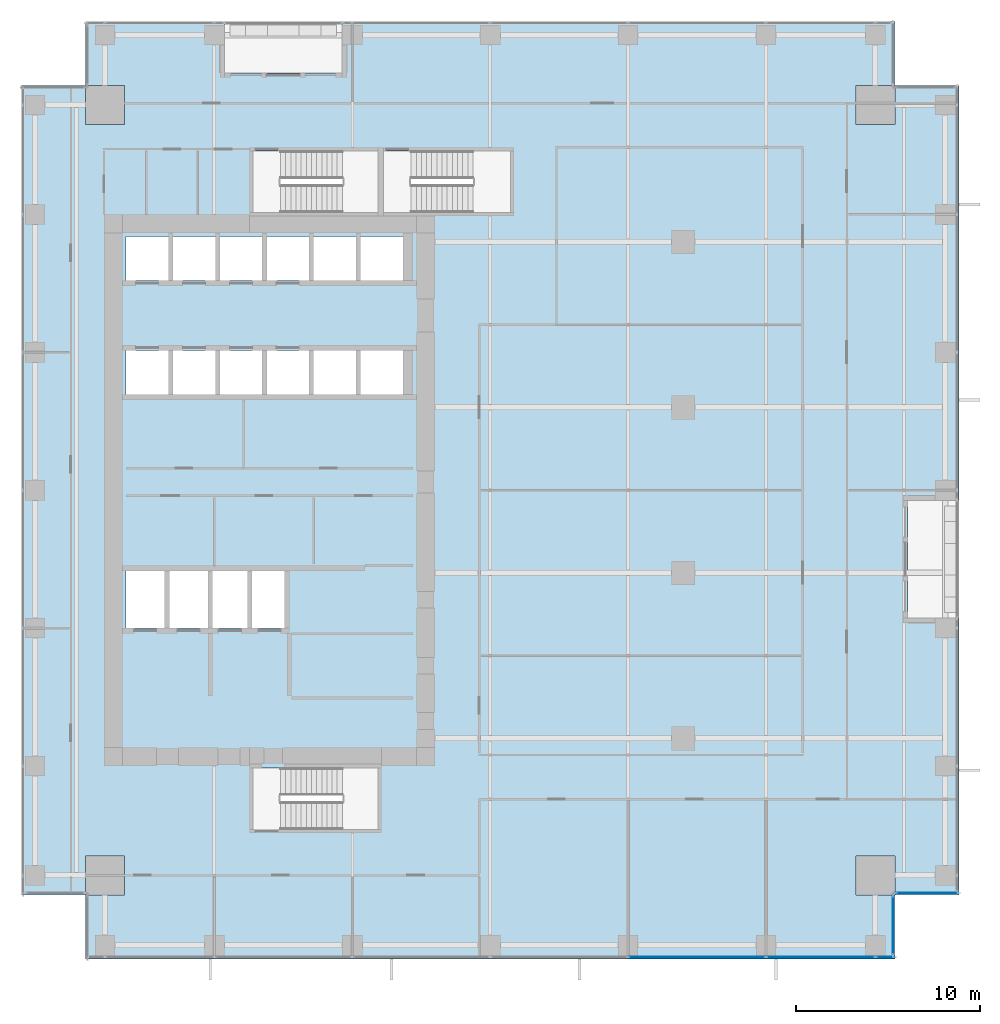
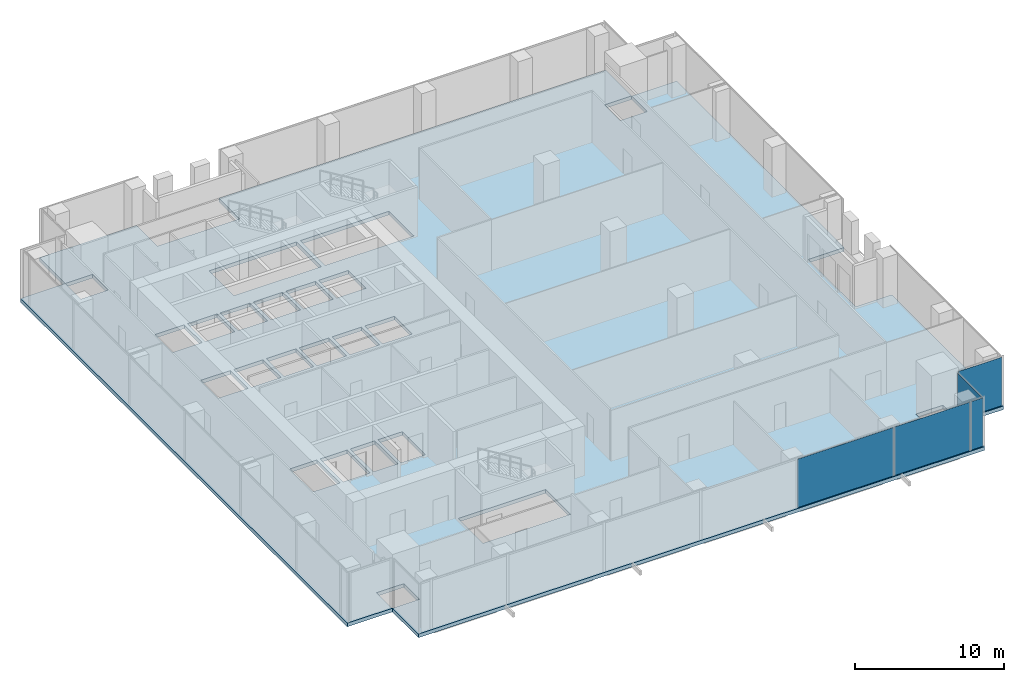
# One storey, part 24 of 34: 5 plates, 1 slab, 3 elements without a shape of their own.
"""IFC4 building model written with IfcOpenShell, lengths in metres."""

from ifc_helpers import new_model, si_unit, direction, frame, origin, origin_2d, place, context, subcontext, project, spatial, polyline, rectangle, outline, extrude, source, transform, mapped, material, layer, layer_set, type_object, element, aggregate, save


model = new_model("IFC4")

# Units and contexts
model_context = context("Model", 3, precision=1e-05, world=origin(), true_north=direction((0.0, 1.0)))
body_context = subcontext(model_context, "Body", "Model", "MODEL_VIEW")
ifc_project = project(units=[si_unit("LENGTHUNIT", "METRE"), si_unit("AREAUNIT", "SQUARE_METRE"), si_unit("VOLUMEUNIT", "CUBIC_METRE"), si_unit("PLANEANGLEUNIT", "RADIAN"), si_unit("MASSUNIT", "GRAM", prefix="KILO")], contexts=[model_context])

# Site, building, storey
site_placement = place(None, origin())
site = spatial("IfcSite", under=ifc_project, at=site_placement, CompositionType="ELEMENT")
building_placement = place(site_placement, origin())
building = spatial("IfcBuilding", under=site, at=building_placement, Name="Khomas Fold Tower", CompositionType="ELEMENT")
storey_placement = place(building_placement, frame((0.0, 0.0, 105.89990234375)))
storey = spatial("IfcBuildingStorey", under=building, at=storey_placement, Name="L22", CompositionType="ELEMENT", Elevation=105.89990234375)

# Slab
ifc_material_1 = material(Name="Concrete C40/50", Category="concrete")
ifc_layer_1 = layer(ifc_material_1, 0.300048828125)
ifc_layer_set_1 = layer_set([ifc_layer_1], Name="Concrete C40/50")
slab_type = type_object("IfcSlabType", Name="RC floor slab 300", PredefinedType="FLOOR", material=ifc_layer_set_1)
shared_shape_1 = source(origin(), body_context, "Body", "SweptSolid", [
    extrude(outline(polyline([(1.5, 5.0), (4.9951171875, 5.0), (4.9951171875, 7.10498046875), (7.10498046875, 7.10498046875), (7.10498046875, 4.9951171875), (5.0, 4.9951171875), (5.0, 1.5), (49.0, 1.5), (49.0, 4.9951171875), (46.89501953125, 4.9951171875), (46.89501953125, 7.10498046875), (49.0048828125, 7.10498046875), (49.0048828125, 5.0), (52.5, 5.0), (52.5, 20.050048828125), (49.699951171875, 20.050048828125), (49.699951171875, 26.449951171875), (52.5, 26.449951171875), (52.5, 49.0), (49.0048828125, 49.0), (49.0048828125, 46.89501953125), (46.89501953125, 46.89501953125), (46.89501953125, 49.0048828125), (49.0, 49.0048828125), (49.0, 52.5), (18.949951171875, 52.5), (18.949951171875, 49.699951171875), (12.550048828125, 49.699951171875), (12.550048828125, 52.5), (5.0, 52.5), (5.0, 49.0048828125), (7.10498046875, 49.0048828125), (7.10498046875, 46.89501953125), (4.9951171875, 46.89501953125), (4.9951171875, 49.0), (1.5, 49.0), (1.5, 5.0)]), holes=[polyline([(7.199951171875, 19.5), (7.199951171875, 22.60009765625), (9.300048828125, 22.60009765625), (9.300048828125, 19.5), (7.199951171875, 19.5)]), polyline([(7.199951171875, 32.199951171875), (7.199951171875, 34.60009765625), (9.5, 34.60009765625), (9.5, 32.199951171875), (7.199951171875, 32.199951171875)]), polyline([(7.199951171875, 38.39990234375), (7.199951171875, 40.800048828125), (9.5, 40.800048828125), (9.5, 38.39990234375), (7.199951171875, 38.39990234375)]), polyline([(9.550048828125, 19.5), (9.550048828125, 22.60009765625), (11.64990234375, 22.60009765625), (11.64990234375, 19.5), (9.550048828125, 19.5)]), polyline([(9.75, 32.199951171875), (9.75, 34.60009765625), (12.050048828125, 34.60009765625), (12.050048828125, 32.199951171875), (9.75, 32.199951171875)]), polyline([(9.75, 38.39990234375), (9.75, 40.800048828125), (12.050048828125, 40.800048828125), (12.050048828125, 38.39990234375), (9.75, 38.39990234375)]), polyline([(11.89990234375, 19.5), (11.89990234375, 22.60009765625), (13.800048828125, 22.60009765625), (13.800048828125, 19.5), (11.89990234375, 19.5)]), polyline([(12.300048828125, 32.199951171875), (12.300048828125, 34.60009765625), (14.60009765625, 34.60009765625), (14.60009765625, 32.199951171875), (12.300048828125, 32.199951171875)]), polyline([(12.300048828125, 38.39990234375), (12.300048828125, 40.800048828125), (14.60009765625, 40.800048828125), (14.60009765625, 38.39990234375), (12.300048828125, 38.39990234375)]), polyline([(14.050048828125, 19.5), (14.050048828125, 22.60009765625), (15.949951171875, 22.60009765625), (15.949951171875, 19.5), (14.050048828125, 19.5)]), polyline([(14.10009765625, 8.550048828125), (14.10009765625, 11.89990234375), (20.89990234375, 11.89990234375), (20.89990234375, 8.550048828125), (14.10009765625, 8.550048828125)]), polyline([(14.10009765625, 42.10009765625), (14.10009765625, 45.449951171875), (20.89990234375, 45.449951171875), (20.89990234375, 42.10009765625), (14.10009765625, 42.10009765625)]), polyline([(14.85009765625, 32.199951171875), (14.85009765625, 34.60009765625), (17.14990234375, 34.60009765625), (17.14990234375, 32.199951171875), (14.85009765625, 32.199951171875)]), polyline([(14.85009765625, 38.39990234375), (14.85009765625, 40.800048828125), (17.14990234375, 40.800048828125), (17.14990234375, 38.39990234375), (14.85009765625, 38.39990234375)]), polyline([(17.39990234375, 32.199951171875), (17.39990234375, 34.60009765625), (19.699951171875, 34.60009765625), (19.699951171875, 32.199951171875), (17.39990234375, 32.199951171875)]), polyline([(17.39990234375, 38.39990234375), (17.39990234375, 40.800048828125), (19.699951171875, 40.800048828125), (19.699951171875, 38.39990234375), (17.39990234375, 38.39990234375)]), polyline([(19.949951171875, 32.199951171875), (19.949951171875, 34.60009765625), (22.25, 34.60009765625), (22.25, 32.199951171875), (19.949951171875, 32.199951171875)]), polyline([(19.949951171875, 38.39990234375), (19.949951171875, 40.800048828125), (22.25, 40.800048828125), (22.25, 38.39990234375), (19.949951171875, 38.39990234375)]), polyline([(21.199951171875, 42.10009765625), (21.199951171875, 45.449951171875), (28.10009765625, 45.449951171875), (28.10009765625, 42.10009765625), (21.199951171875, 42.10009765625)])]), origin(), (0.0, 0.0, 1.0), 0.2998046875),
])
slab_placement = place(storey_placement, frame((0.0, 0.0, -0.2998046875)))
element("IfcSlab", 1, at=slab_placement, inside=storey, type_object=slab_type, Name="S-L22", PredefinedType="FLOOR", context=body_context, shape_type="MappedRepresentation", body=[
    mapped(shared_shape_1, transform((0.0, 0.0, 0.0))),
])

# Curtain wall, plates
ifc_material_2 = material(Name="Aluminium framed double glazing", Category="aluminium")
curtain_wall_type = type_object("IfcCurtainWallType", Name="SK-Unitised clear-glass wall, growing floors CW1", PredefinedType="NOTDEFINED", material=ifc_material_2)
curtain_wall_1_placement = place(storey_placement, origin())
curtain_wall_1 = element("IfcCurtainWall", 2, at=curtain_wall_1_placement, inside=storey, type_object=curtain_wall_type, Name="CW1 run L22 00-0", PredefinedType="NOTDEFINED")
ifc_material_3 = material(Name="Clear double glazed unit")
ifc_layer_2 = layer(ifc_material_3, 0.031982421875)
ifc_layer_set_2 = layer_set([ifc_layer_2], Name="Clear double glazed unit")
plate_type = type_object("IfcPlateType", Name="SK-Unitised clear-glass wall, growing floors glass panel CW1-P", PredefinedType="CURTAIN_PANEL", material=ifc_layer_set_2)
shared_shape_2 = source(origin(), body_context, "Body", "SweptSolid", [
    extrude(rectangle(XDim=5.889892578125, YDim=0.031982421875, at=origin_2d()), origin(), (0.0, 0.0, 1.0), 3.97998046875),
])
plate_1_placement = place(storey_placement, frame((44.97509765625, 1.60009765625, 0.0), z_axis=(0.0, 0.0, 1.0), x_axis=(1.0, 0.0, 0.0)))
plate_1 = element("IfcPlate", 3, at=plate_1_placement, type_object=plate_type, Name="CW1 glass panel 7", PredefinedType="CURTAIN_PANEL", context=body_context, shape_type="MappedRepresentation", body=[
    mapped(shared_shape_2, transform((0.0, 0.0, 0.0))),
])
shared_shape_3 = source(origin(), body_context, "Body", "SweptSolid", [
    extrude(rectangle(XDim=7.43994140625, YDim=0.031982421875, at=origin_2d()), origin(), (0.0, 0.0, 1.0), 3.97998046875),
])
plate_2_placement = place(storey_placement, frame((38.25, 1.60009765625, 0.0), z_axis=(0.0, 0.0, 1.0), x_axis=(1.0, 0.0, 0.0)))
plate_2 = element("IfcPlate", 4, at=plate_2_placement, type_object=plate_type, Name="CW1 glass panel 6", PredefinedType="CURTAIN_PANEL", context=body_context, shape_type="MappedRepresentation", body=[
    mapped(shared_shape_3, transform((0.0, 0.0, 0.0))),
])
shared_shape_4 = source(origin(), body_context, "Body", "SweptSolid", [
    extrude(rectangle(XDim=0.9599609375, YDim=0.031982421875, at=origin_2d()), origin(), (0.0, 0.0, 1.0), 3.97998046875),
])
plate_3_placement = place(storey_placement, frame((48.4599609375, 1.60009765625, 0.0), z_axis=(0.0, 0.0, 1.0), x_axis=(1.0, 0.0, 0.0)))
plate_3 = element("IfcPlate", 5, at=plate_3_placement, type_object=plate_type, Name="CW1 glass panel 8", PredefinedType="CURTAIN_PANEL", context=body_context, shape_type="MappedRepresentation", body=[
    mapped(shared_shape_4, transform((0.0, 0.0, 0.0))),
])
aggregate(curtain_wall_1, [plate_2, plate_1, plate_3])

# Curtain wall, plate
curtain_wall_2_placement = place(storey_placement, origin())
curtain_wall_2 = element("IfcCurtainWall", 6, at=curtain_wall_2_placement, inside=storey, type_object=curtain_wall_type, Name="CW1 corner return L22 01", PredefinedType="NOTDEFINED")
shared_shape_5 = source(origin(), body_context, "Body", "SweptSolid", [
    extrude(rectangle(XDim=3.179931640625, YDim=0.031982421875, at=origin_2d()), origin(), (0.0, 0.0, 1.0), 3.97998046875),
])
plate_4_placement = place(storey_placement, frame((48.89990234375, 3.35009765625, 0.0), z_axis=(0.0, 0.0, 1.0), x_axis=(0.0, 1.0, 0.0)))
plate_4 = element("IfcPlate", 7, at=plate_4_placement, type_object=plate_type, Name="CW1 glass panel 1", PredefinedType="CURTAIN_PANEL", context=body_context, shape_type="MappedRepresentation", body=[
    mapped(shared_shape_5, transform((0.0, 0.0, 0.0))),
])
aggregate(curtain_wall_2, [plate_4])

curtain_wall_3_placement = place(storey_placement, origin())
curtain_wall_3 = element("IfcCurtainWall", 8, at=curtain_wall_3_placement, inside=storey, type_object=curtain_wall_type, Name="CW1 corner return L22 02", PredefinedType="NOTDEFINED")
shared_shape_6 = source(origin(), body_context, "Body", "SweptSolid", [
    extrude(rectangle(XDim=3.3798828125, YDim=0.031982421875, at=origin_2d()), origin(), (0.0, 0.0, 1.0), 3.97998046875),
])
plate_5_placement = place(storey_placement, frame((50.75, 5.10009765625, 0.0), z_axis=(0.0, 0.0, 1.0), x_axis=(1.0, 0.0, 0.0)))
plate_5 = element("IfcPlate", 9, at=plate_5_placement, type_object=plate_type, Name="CW1 glass panel 1", PredefinedType="CURTAIN_PANEL", context=body_context, shape_type="MappedRepresentation", body=[
    mapped(shared_shape_6, transform((0.0, 0.0, 0.0))),
])
aggregate(curtain_wall_3, [plate_5])

save(model, "model.ifc")
